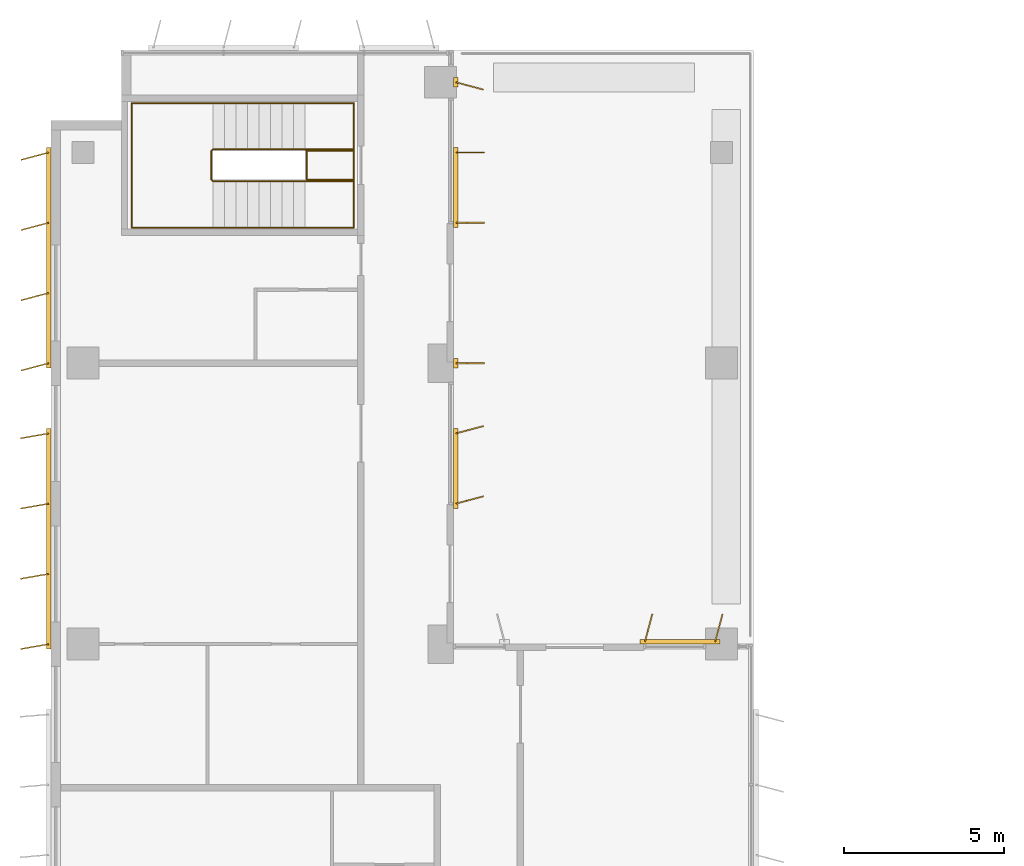
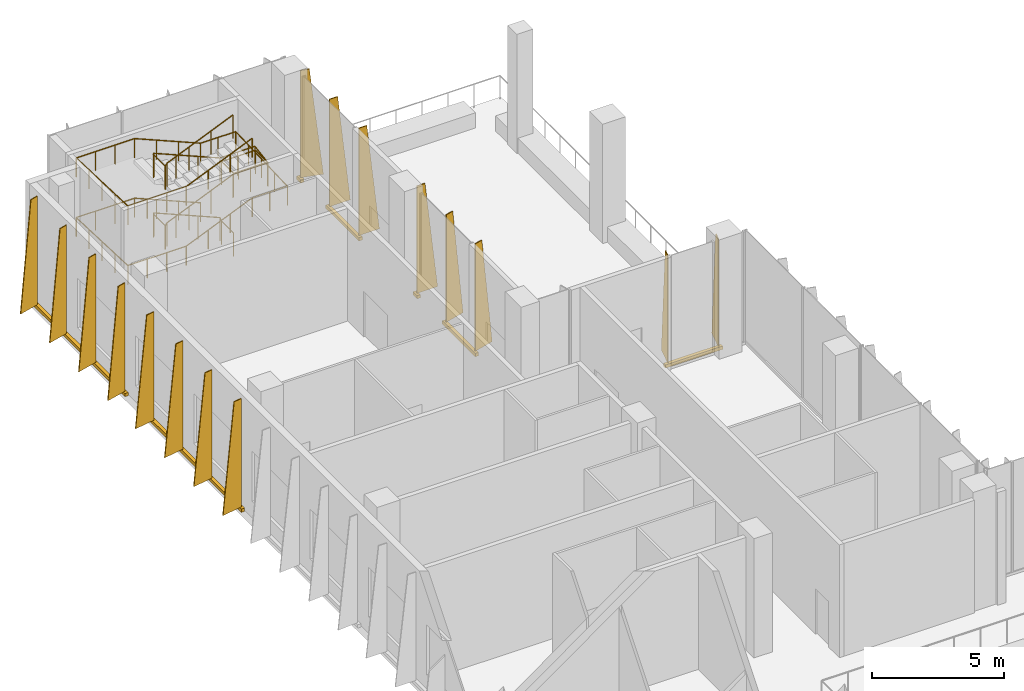
# One storey, part 22 of 24: 7 shading devices, 2 railings.
"""IFC4 building model written with IfcOpenShell, lengths in metres."""

from ifc_helpers import new_model, si_unit, direction, frame, origin, origin_2d, place, context, subcontext, project, spatial, polyline, rectangle, circle, outline, extrude, source, transform, mapped, material, layer, layer_set, type_object, element, save


model = new_model("IFC4")

# Units and contexts
model_context = context("Model", 3, precision=1e-05, world=origin(), true_north=direction((0.0, 1.0)))
body_context = subcontext(model_context, "Body", "Model", "MODEL_VIEW")
ifc_project = project(units=[si_unit("LENGTHUNIT", "METRE"), si_unit("AREAUNIT", "SQUARE_METRE"), si_unit("VOLUMEUNIT", "CUBIC_METRE"), si_unit("PLANEANGLEUNIT", "RADIAN"), si_unit("MASSUNIT", "GRAM", prefix="KILO")], contexts=[model_context])

# Site, building, storey
site_placement = place(None, origin())
site = spatial("IfcSite", under=ifc_project, at=site_placement, CompositionType="ELEMENT")
building_placement = place(site_placement, origin())
building = spatial("IfcBuilding", under=site, at=building_placement, Name="Kemantara Hotel Tower", CompositionType="ELEMENT")
storey_placement = place(building_placement, frame((0.0, 0.0, 202.5)))
storey = spatial("IfcBuildingStorey", under=building, at=storey_placement, Name="L50", CompositionType="ELEMENT", Elevation=202.5)

# Railings
ifc_material_1 = material(Name="Stainless steel balustrade", Category="steel")
railing_type_1 = type_object("IfcRailingType", Name="Stair guard 1100 mm", PredefinedType="GUARDRAIL", material=ifc_material_1)
railing_1_placement = place(storey_placement, frame((7.949951171875, 59.5, 5.5)))
element("IfcRailing", 1, at=railing_1_placement, inside=storey, type_object=railing_type_1, Name="L50 ST4 stair guard 1", PredefinedType="GUARDRAIL", context=body_context, shape_type="SweptSolid", body=[
    extrude(circle(Radius=0.02392578125, at=origin_2d()), frame((0.0, 0.0, 1.076171875), z_axis=(-0.920535863683, 0.0, -0.390658064903), x_axis=(0.0, -1.0, 0.0)), (0.0, 0.0, 1.0), 3.12841796875),
    extrude(circle(Radius=0.02392578125, at=origin_2d()), frame((-2.8798828125, 0.0, -0.14599609375), z_axis=(-0.297155754911, 0.297155754911, -0.90741220768), x_axis=(-0.707106781187, -0.707106781187, 0.0)), (0.0, 0.0, 1.0), 0.16845703125),
    extrude(circle(Radius=0.02392578125, at=origin_2d()), frame((-2.929931640625, 0.050048828125, -0.298828125), z_axis=(0.0, 1.0, 0.0), x_axis=(-1.0, 0.0, 0.0)), (0.0, 0.0, 1.0), 0.89990234375),
    extrude(circle(Radius=0.02392578125, at=origin_2d()), frame((-2.929931640625, 0.949951171875, -0.298828125), z_axis=(0.707106781187, 0.707106781187, 0.0), x_axis=(-0.707106781187, 0.707106781187, 0.0)), (0.0, 0.0, 1.0), 0.07080078125),
    extrude(circle(Radius=0.02392578125, at=origin_2d()), frame((-2.8798828125, 1.0, -0.298828125), z_axis=(0.920535863683, 0.0, -0.390658064903), x_axis=(0.0, 1.0, 0.0)), (0.0, 0.0, 1.0), 3.12841796875),
    extrude(circle(Radius=0.02392578125, at=origin_2d()), frame((0.0, 1.0, -1.52099609375), z_axis=(1.0, 0.0, 0.0), x_axis=(0.0, 1.0, 0.0)), (0.0, 0.0, 1.0), 1.530029296875),
    extrude(circle(Radius=0.02392578125, at=origin_2d()), frame((1.530029296875, 1.0, -1.52099609375), z_axis=(0.0, -0.98730409242, -0.158841521936), x_axis=(1.0, 0.0, 0.0)), (0.0, 0.0, 1.0), 0.962158203125),
    extrude(circle(Radius=0.02392578125, at=origin_2d()), frame((1.530029296875, 0.050048828125, -1.673828125), z_axis=(-1.0, 0.0, 0.0), x_axis=(0.0, -1.0, 0.0)), (0.0, 0.0, 1.0), 1.47998046875),
    extrude(circle(Radius=0.02392578125, at=origin_2d()), frame((0.050048828125, 0.050048828125, -1.673828125), z_axis=(0.0, 1.0, 0.0), x_axis=(-1.0, 0.0, 0.0)), (0.0, 0.0, 1.0), 0.89990234375),
    extrude(circle(Radius=0.02392578125, at=origin_2d()), frame((0.050048828125, 0.949951171875, -1.673828125), z_axis=(1.0, 0.0, 0.0), x_axis=(0.0, 1.0, 0.0)), (0.0, 0.0, 1.0), 1.47998046875),
    extrude(circle(Radius=0.02392578125, at=origin_2d()), frame((1.530029296875, 0.949951171875, -1.673828125), z_axis=(0.0, -1.0, 0.0), x_axis=(1.0, 0.0, 0.0)), (0.0, 0.0, 1.0), 0.949951171875),
    extrude(circle(Radius=0.02392578125, at=origin_2d()), frame((1.530029296875, 0.0, -1.673828125), z_axis=(-1.0, 0.0, 0.0), x_axis=(0.0, -1.0, 0.0)), (0.0, 0.0, 1.0), 1.530029296875),
    extrude(circle(Radius=0.02392578125, at=origin_2d()), frame((0.0, 0.0, -1.673828125), z_axis=(-0.920535863683, 0.0, -0.390658064903), x_axis=(0.0, -1.0, 0.0)), (0.0, 0.0, 1.0), 3.12841796875),
    extrude(circle(Radius=0.02392578125, at=origin_2d()), frame((-2.8798828125, 0.0, -2.89599609375), z_axis=(-0.297155754911, 0.297155754911, -0.90741220768), x_axis=(-0.707106781187, -0.707106781187, 0.0)), (0.0, 0.0, 1.0), 0.16845703125),
    extrude(circle(Radius=0.02392578125, at=origin_2d()), frame((-2.929931640625, 0.050048828125, -3.048828125), z_axis=(0.0, 1.0, 0.0), x_axis=(-1.0, 0.0, 0.0)), (0.0, 0.0, 1.0), 0.89990234375),
    extrude(circle(Radius=0.02392578125, at=origin_2d()), frame((-2.929931640625, 0.949951171875, -3.048828125), z_axis=(0.707106781187, 0.707106781187, 0.0), x_axis=(-0.707106781187, 0.707106781187, 0.0)), (0.0, 0.0, 1.0), 0.07080078125),
    extrude(circle(Radius=0.02392578125, at=origin_2d()), frame((-2.8798828125, 1.0, -3.048828125), z_axis=(0.920535863683, 0.0, -0.390658064903), x_axis=(0.0, 1.0, 0.0)), (0.0, 0.0, 1.0), 3.12841796875),
    extrude(circle(Radius=0.02392578125, at=origin_2d()), frame((0.0, 1.0, -4.27099609375), z_axis=(0.297155754911, -0.297155754911, -0.90741220768), x_axis=(0.707106781187, 0.707106781187, 0.0)), (0.0, 0.0, 1.0), 0.16845703125),
    extrude(circle(Radius=0.02392578125, at=origin_2d()), frame((0.050048828125, 0.949951171875, -4.423828125), z_axis=(0.0, -1.0, 0.0), x_axis=(1.0, 0.0, 0.0)), (0.0, 0.0, 1.0), 0.89990234375),
    extrude(circle(Radius=0.02099609375, at=origin_2d()), origin(), (0.0, 0.0, 1.0), 1.052001953125),
    extrude(circle(Radius=0.02099609375, at=origin_2d()), frame((-0.9599609375, 0.0, -0.407470703125)), (0.0, 0.0, 1.0), 1.052001953125),
    extrude(circle(Radius=0.02099609375, at=origin_2d()), frame((-1.919921875, 0.0, -0.814697265625)), (0.0, 0.0, 1.0), 1.052001953125),
    extrude(circle(Radius=0.02099609375, at=origin_2d()), frame((-2.8798828125, 0.0, -1.22216796875)), (0.0, 0.0, 1.0), 1.052001953125),
    extrude(circle(Radius=0.02099609375, at=origin_2d()), frame((-2.929931640625, 0.050048828125, -1.375)), (0.0, 0.0, 1.0), 1.052001953125),
    extrude(circle(Radius=0.02099609375, at=origin_2d()), frame((-2.929931640625, 0.949951171875, -1.375)), (0.0, 0.0, 1.0), 1.052001953125),
    extrude(circle(Radius=0.02099609375, at=origin_2d()), frame((-2.8798828125, 1.0, -1.375)), (0.0, 0.0, 1.0), 1.052001953125),
    extrude(circle(Radius=0.02099609375, at=origin_2d()), frame((-1.919921875, 1.0, -1.782470703125)), (0.0, 0.0, 1.0), 1.052001953125),
    extrude(circle(Radius=0.02099609375, at=origin_2d()), frame((-0.9599609375, 1.0, -2.189697265625)), (0.0, 0.0, 1.0), 1.052001953125),
    extrude(circle(Radius=0.02099609375, at=origin_2d()), frame((0.0, 1.0, -2.59716796875)), (0.0, 0.0, 1.0), 1.052001953125),
    extrude(circle(Radius=0.02099609375, at=origin_2d()), frame((0.76513671875, 1.0, -2.59716796875)), (0.0, 0.0, 1.0), 1.052001953125),
    extrude(circle(Radius=0.02099609375, at=origin_2d()), frame((1.530029296875, 1.0, -2.59716796875)), (0.0, 0.0, 1.0), 1.052001953125),
    extrude(circle(Radius=0.02099609375, at=origin_2d()), frame((1.530029296875, 0.050048828125, -2.75)), (0.0, 0.0, 1.0), 1.052001953125),
    extrude(circle(Radius=0.02099609375, at=origin_2d()), frame((0.7900390625, 0.050048828125, -2.75)), (0.0, 0.0, 1.0), 1.052001953125),
    extrude(circle(Radius=0.02099609375, at=origin_2d()), frame((0.050048828125, 0.050048828125, -2.75)), (0.0, 0.0, 1.0), 1.052001953125),
    extrude(circle(Radius=0.02099609375, at=origin_2d()), frame((0.050048828125, 0.949951171875, -2.75)), (0.0, 0.0, 1.0), 1.052001953125),
    extrude(circle(Radius=0.02099609375, at=origin_2d()), frame((0.7900390625, 0.949951171875, -2.75)), (0.0, 0.0, 1.0), 1.052001953125),
    extrude(circle(Radius=0.02099609375, at=origin_2d()), frame((1.530029296875, 0.949951171875, -2.75)), (0.0, 0.0, 1.0), 1.052001953125),
    extrude(circle(Radius=0.02099609375, at=origin_2d()), frame((1.530029296875, 0.0, -2.75)), (0.0, 0.0, 1.0), 1.052001953125),
    extrude(circle(Radius=0.02099609375, at=origin_2d()), frame((0.76513671875, 0.0, -2.75)), (0.0, 0.0, 1.0), 1.052001953125),
    extrude(circle(Radius=0.02099609375, at=origin_2d()), frame((0.0, 0.0, -2.75)), (0.0, 0.0, 1.0), 1.052001953125),
    extrude(circle(Radius=0.02099609375, at=origin_2d()), frame((-0.9599609375, 0.0, -3.157470703125)), (0.0, 0.0, 1.0), 1.052001953125),
    extrude(circle(Radius=0.02099609375, at=origin_2d()), frame((-1.919921875, 0.0, -3.564697265625)), (0.0, 0.0, 1.0), 1.052001953125),
    extrude(circle(Radius=0.02099609375, at=origin_2d()), frame((-2.8798828125, 0.0, -3.97216796875)), (0.0, 0.0, 1.0), 1.052001953125),
    extrude(circle(Radius=0.02099609375, at=origin_2d()), frame((-2.929931640625, 0.050048828125, -4.125)), (0.0, 0.0, 1.0), 1.052001953125),
    extrude(circle(Radius=0.02099609375, at=origin_2d()), frame((-2.929931640625, 0.949951171875, -4.125)), (0.0, 0.0, 1.0), 1.052001953125),
    extrude(circle(Radius=0.02099609375, at=origin_2d()), frame((-2.8798828125, 1.0, -4.125)), (0.0, 0.0, 1.0), 1.052001953125),
    extrude(circle(Radius=0.02099609375, at=origin_2d()), frame((-1.919921875, 1.0, -4.532470703125)), (0.0, 0.0, 1.0), 1.052001953125),
    extrude(circle(Radius=0.02099609375, at=origin_2d()), frame((-0.9599609375, 1.0, -4.939697265625)), (0.0, 0.0, 1.0), 1.052001953125),
    extrude(circle(Radius=0.02099609375, at=origin_2d()), frame((0.0, 1.0, -5.34716796875)), (0.0, 0.0, 1.0), 1.052001953125),
    extrude(circle(Radius=0.02099609375, at=origin_2d()), frame((0.050048828125, 0.949951171875, -5.5)), (0.0, 0.0, 1.0), 1.052001953125),
    extrude(circle(Radius=0.02099609375, at=origin_2d()), frame((0.050048828125, 0.050048828125, -5.5)), (0.0, 0.0, 1.0), 1.052001953125),
])
railing_type_2 = type_object("IfcRailingType", Name="Stair handrail 900 mm", PredefinedType="HANDRAIL", material=ifc_material_1)
railing_2_placement = place(storey_placement, frame((7.949951171875, 61.949951171875, 0.15283203125)))
element("IfcRailing", 2, at=railing_2_placement, inside=storey, type_object=railing_type_2, Name="L50 ST4 stair handrail 1", PredefinedType="HANDRAIL", context=body_context, shape_type="SweptSolid", body=[
    extrude(circle(Radius=0.02392578125, at=origin_2d()), frame((0.0, 0.0, 0.8759765625), z_axis=(-0.920535863683, 0.0, 0.390658064903), x_axis=(0.0, -1.0, 0.0)), (0.0, 0.0, 1.0), 3.12841796875),
    extrude(circle(Radius=0.02392578125, at=origin_2d()), frame((-2.8798828125, 0.0, 2.09814453125), z_axis=(-1.0, 0.0, 0.0), x_axis=(0.0, -1.0, 0.0)), (0.0, 0.0, 1.0), 2.550048828125),
    extrude(circle(Radius=0.02392578125, at=origin_2d()), frame((-5.429931640625, 0.0, 2.09814453125), z_axis=(0.0, -0.999233006938, 0.039158624161), x_axis=(1.0, 0.0, 0.0)), (0.0, 0.0, 1.0), 3.90283203125),
    extrude(circle(Radius=0.02392578125, at=origin_2d()), frame((-5.429931640625, -3.89990234375, 2.2509765625), z_axis=(1.0, 0.0, 0.0), x_axis=(0.0, 1.0, 0.0)), (0.0, 0.0, 1.0), 2.550048828125),
    extrude(circle(Radius=0.02392578125, at=origin_2d()), frame((-2.8798828125, -3.89990234375, 2.2509765625), z_axis=(0.920535863683, 0.0, 0.390658064903), x_axis=(0.0, 1.0, 0.0)), (0.0, 0.0, 1.0), 3.12841796875),
    extrude(circle(Radius=0.02392578125, at=origin_2d()), frame((0.0, -3.89990234375, 3.47314453125), z_axis=(1.0, 0.0, 0.0), x_axis=(0.0, 1.0, 0.0)), (0.0, 0.0, 1.0), 1.530029296875),
    extrude(circle(Radius=0.02392578125, at=origin_2d()), frame((1.530029296875, -3.89990234375, 3.47314453125), z_axis=(0.0, 0.999233006938, 0.039158624161), x_axis=(-1.0, 0.0, 0.0)), (0.0, 0.0, 1.0), 3.90283203125),
    extrude(circle(Radius=0.02392578125, at=origin_2d()), frame((1.530029296875, 0.0, 3.6259765625), z_axis=(-1.0, 0.0, 0.0), x_axis=(0.0, -1.0, 0.0)), (0.0, 0.0, 1.0), 1.530029296875),
    extrude(circle(Radius=0.02392578125, at=origin_2d()), frame((0.0, 0.0, 3.6259765625), z_axis=(-0.920535863683, 0.0, 0.390658064903), x_axis=(0.0, -1.0, 0.0)), (0.0, 0.0, 1.0), 3.12841796875),
    extrude(circle(Radius=0.02392578125, at=origin_2d()), frame((-2.8798828125, 0.0, 4.84814453125), z_axis=(-1.0, 0.0, 0.0), x_axis=(0.0, -1.0, 0.0)), (0.0, 0.0, 1.0), 2.550048828125),
    extrude(circle(Radius=0.02392578125, at=origin_2d()), frame((-5.429931640625, 0.0, 4.84814453125), z_axis=(0.0, -0.999233006938, 0.039158624161), x_axis=(1.0, 0.0, 0.0)), (0.0, 0.0, 1.0), 3.90283203125),
    extrude(circle(Radius=0.02392578125, at=origin_2d()), frame((-5.429931640625, -3.89990234375, 5.0009765625), z_axis=(1.0, 0.0, 0.0), x_axis=(0.0, 1.0, 0.0)), (0.0, 0.0, 1.0), 2.550048828125),
    extrude(circle(Radius=0.02392578125, at=origin_2d()), frame((-2.8798828125, -3.89990234375, 5.0009765625), z_axis=(0.920535863683, 0.0, 0.390658064903), x_axis=(0.0, 1.0, 0.0)), (0.0, 0.0, 1.0), 3.12841796875),
    extrude(circle(Radius=0.02099609375, at=origin_2d()), origin(), (0.0, 0.0, 1.0), 0.851806640625),
    extrude(circle(Radius=0.02099609375, at=origin_2d()), frame((-0.9599609375, 0.0, 0.407470703125)), (0.0, 0.0, 1.0), 0.851806640625),
    extrude(circle(Radius=0.02099609375, at=origin_2d()), frame((-1.919921875, 0.0, 0.814697265625)), (0.0, 0.0, 1.0), 0.851806640625),
    extrude(circle(Radius=0.02099609375, at=origin_2d()), frame((-2.8798828125, 0.0, 1.22216796875)), (0.0, 0.0, 1.0), 0.851806640625),
    extrude(circle(Radius=0.02099609375, at=origin_2d()), frame((-3.72998046875, 0.0, 1.22216796875)), (0.0, 0.0, 1.0), 0.851806640625),
    extrude(circle(Radius=0.02099609375, at=origin_2d()), frame((-4.579833984375, 0.0, 1.22216796875)), (0.0, 0.0, 1.0), 0.851806640625),
    extrude(circle(Radius=0.02099609375, at=origin_2d()), frame((-5.429931640625, 0.0, 1.22216796875)), (0.0, 0.0, 1.0), 0.851806640625),
    extrude(circle(Radius=0.02099609375, at=origin_2d()), frame((-5.429931640625, -0.97509765625, 1.26025390625)), (0.0, 0.0, 1.0), 0.851806640625),
    extrude(circle(Radius=0.02099609375, at=origin_2d()), frame((-5.429931640625, -1.949951171875, 1.298583984375)), (0.0, 0.0, 1.0), 0.851806640625),
    extrude(circle(Radius=0.02099609375, at=origin_2d()), frame((-5.429931640625, -2.9248046875, 1.3369140625)), (0.0, 0.0, 1.0), 0.851806640625),
    extrude(circle(Radius=0.02099609375, at=origin_2d()), frame((-5.429931640625, -3.89990234375, 1.375)), (0.0, 0.0, 1.0), 0.851806640625),
    extrude(circle(Radius=0.02099609375, at=origin_2d()), frame((-4.579833984375, -3.89990234375, 1.375)), (0.0, 0.0, 1.0), 0.851806640625),
    extrude(circle(Radius=0.02099609375, at=origin_2d()), frame((-3.72998046875, -3.89990234375, 1.375)), (0.0, 0.0, 1.0), 0.851806640625),
    extrude(circle(Radius=0.02099609375, at=origin_2d()), frame((-2.8798828125, -3.89990234375, 1.375)), (0.0, 0.0, 1.0), 0.851806640625),
    extrude(circle(Radius=0.02099609375, at=origin_2d()), frame((-1.919921875, -3.89990234375, 1.782470703125)), (0.0, 0.0, 1.0), 0.851806640625),
    extrude(circle(Radius=0.02099609375, at=origin_2d()), frame((-0.9599609375, -3.89990234375, 2.189697265625)), (0.0, 0.0, 1.0), 0.851806640625),
    extrude(circle(Radius=0.02099609375, at=origin_2d()), frame((0.0, -3.89990234375, 2.59716796875)), (0.0, 0.0, 1.0), 0.851806640625),
    extrude(circle(Radius=0.02099609375, at=origin_2d()), frame((0.76513671875, -3.89990234375, 2.59716796875)), (0.0, 0.0, 1.0), 0.851806640625),
    extrude(circle(Radius=0.02099609375, at=origin_2d()), frame((1.530029296875, -3.89990234375, 2.59716796875)), (0.0, 0.0, 1.0), 0.851806640625),
    extrude(circle(Radius=0.02099609375, at=origin_2d()), frame((1.530029296875, -2.9248046875, 2.63525390625)), (0.0, 0.0, 1.0), 0.851806640625),
    extrude(circle(Radius=0.02099609375, at=origin_2d()), frame((1.530029296875, -1.949951171875, 2.673583984375)), (0.0, 0.0, 1.0), 0.851806640625),
    extrude(circle(Radius=0.02099609375, at=origin_2d()), frame((1.530029296875, -0.97509765625, 2.7119140625)), (0.0, 0.0, 1.0), 0.851806640625),
    extrude(circle(Radius=0.02099609375, at=origin_2d()), frame((1.530029296875, 0.0, 2.75)), (0.0, 0.0, 1.0), 0.851806640625),
    extrude(circle(Radius=0.02099609375, at=origin_2d()), frame((0.76513671875, 0.0, 2.75)), (0.0, 0.0, 1.0), 0.851806640625),
    extrude(circle(Radius=0.02099609375, at=origin_2d()), frame((0.0, 0.0, 2.75)), (0.0, 0.0, 1.0), 0.851806640625),
    extrude(circle(Radius=0.02099609375, at=origin_2d()), frame((-0.9599609375, 0.0, 3.157470703125)), (0.0, 0.0, 1.0), 0.851806640625),
    extrude(circle(Radius=0.02099609375, at=origin_2d()), frame((-1.919921875, 0.0, 3.564697265625)), (0.0, 0.0, 1.0), 0.851806640625),
    extrude(circle(Radius=0.02099609375, at=origin_2d()), frame((-2.8798828125, 0.0, 3.97216796875)), (0.0, 0.0, 1.0), 0.851806640625),
    extrude(circle(Radius=0.02099609375, at=origin_2d()), frame((-3.72998046875, 0.0, 3.97216796875)), (0.0, 0.0, 1.0), 0.851806640625),
    extrude(circle(Radius=0.02099609375, at=origin_2d()), frame((-4.579833984375, 0.0, 3.97216796875)), (0.0, 0.0, 1.0), 0.851806640625),
    extrude(circle(Radius=0.02099609375, at=origin_2d()), frame((-5.429931640625, 0.0, 3.97216796875)), (0.0, 0.0, 1.0), 0.851806640625),
    extrude(circle(Radius=0.02099609375, at=origin_2d()), frame((-5.429931640625, -0.97509765625, 4.01025390625)), (0.0, 0.0, 1.0), 0.851806640625),
    extrude(circle(Radius=0.02099609375, at=origin_2d()), frame((-5.429931640625, -1.949951171875, 4.048583984375)), (0.0, 0.0, 1.0), 0.851806640625),
    extrude(circle(Radius=0.02099609375, at=origin_2d()), frame((-5.429931640625, -2.9248046875, 4.0869140625)), (0.0, 0.0, 1.0), 0.851806640625),
    extrude(circle(Radius=0.02099609375, at=origin_2d()), frame((-5.429931640625, -3.89990234375, 4.125)), (0.0, 0.0, 1.0), 0.851806640625),
    extrude(circle(Radius=0.02099609375, at=origin_2d()), frame((-4.579833984375, -3.89990234375, 4.125)), (0.0, 0.0, 1.0), 0.851806640625),
    extrude(circle(Radius=0.02099609375, at=origin_2d()), frame((-3.72998046875, -3.89990234375, 4.125)), (0.0, 0.0, 1.0), 0.851806640625),
    extrude(circle(Radius=0.02099609375, at=origin_2d()), frame((-2.8798828125, -3.89990234375, 4.125)), (0.0, 0.0, 1.0), 0.851806640625),
    extrude(circle(Radius=0.02099609375, at=origin_2d()), frame((-1.919921875, -3.89990234375, 4.532470703125)), (0.0, 0.0, 1.0), 0.851806640625),
    extrude(circle(Radius=0.02099609375, at=origin_2d()), frame((-0.9599609375, -3.89990234375, 4.939697265625)), (0.0, 0.0, 1.0), 0.851806640625),
    extrude(circle(Radius=0.02099609375, at=origin_2d()), frame((0.0, -3.89990234375, 5.34716796875)), (0.0, 0.0, 1.0), 0.851806640625),
])

# Shading devices
ifc_material_2 = material(Name="Perforated aluminium plate 4 mm bronze anodised", Category="aluminium")
ifc_layer_1 = layer(ifc_material_2, 0.0400390625)
ifc_layer_set_1 = layer_set([ifc_layer_1], Name="Perforated aluminium plate 4 mm bronze anodised")
shading_device_type_1 = type_object("IfcShadingDeviceType", Name="SCREEN FIN CASSETTE, 4 BLADES AT +15.0 DEG, 5000 HIGH", PredefinedType="USERDEFINED", material=ifc_layer_set_1)
shared_shape_1 = source(origin(), body_context, "Body", "SweptSolid", [
    extrude(rectangle(XDim=6.89990234375, YDim=0.14990234375, at=origin_2d()), frame((3.300048828125, -0.074951171875, -0.14990234375), z_axis=(0.0, 0.0, 1.0), x_axis=(1.0, 0.0, 0.0)), (0.0, 0.0, 1.0), 0.14990234375),
    extrude(outline(polyline([(0.0, 0.0), (0.89990234375, 0.0), (0.35009765625, 5.0), (0.0, 5.0), (0.0, 0.0)])), frame((0.019287109375, -0.06982421875, 0.0), z_axis=(-0.966437683387, -0.256901156343, 0.0), x_axis=(0.256901156343, -0.966437683387, 0.0)), (0.0, 0.0, 1.0), 0.039794921875),
    extrude(outline(polyline([(0.0, 0.0), (0.89990234375, 0.0), (0.35009765625, 5.0), (0.0, 5.0), (0.0, 0.0)])), frame((2.21923828125, -0.06982421875, 0.0), z_axis=(-0.966437683387, -0.256901156343, 0.0), x_axis=(0.256901156343, -0.966437683387, 0.0)), (0.0, 0.0, 1.0), 0.039794921875),
    extrude(outline(polyline([(0.0, 0.0), (0.89990234375, 0.0), (0.35009765625, 5.0), (0.0, 5.0), (0.0, 0.0)])), frame((4.41943359375, -0.06982421875, 0.0), z_axis=(-0.966837822169, -0.255391122837, 0.0), x_axis=(0.255391122837, -0.966837822169, 0.0)), (0.0, 0.0, 1.0), 0.0400390625),
    extrude(outline(polyline([(0.0, 0.0), (0.89990234375, 0.0), (0.35009765625, 5.0), (0.0, 5.0), (0.0, 0.0)])), frame((6.619384765625, -0.06982421875, 0.0), z_axis=(-0.966837822169, -0.255391122837, 0.0), x_axis=(0.255391122837, -0.966837822169, 0.0)), (0.0, 0.0, 1.0), 0.0400390625),
])
shading_device_1_placement = place(storey_placement, frame((0.0, 60.39990234375, 0.10009765625), z_axis=(0.0, 0.0, 1.0), x_axis=(0.0, -1.0, 0.0)))
element("IfcShadingDevice", 3, at=shading_device_1_placement, inside=storey, type_object=shading_device_type_1, Name="SCREEN FIN CASSETTE L50 T3S-R06-1", ObjectType="SCREEN FIN", PredefinedType="USERDEFINED", context=body_context, shape_type="MappedRepresentation", body=[
    mapped(shared_shape_1, transform((0.0, 0.0, 0.0))),
])
ifc_layer_2 = layer(ifc_material_2, 0.0400390625)
ifc_layer_set_2 = layer_set([ifc_layer_2], Name="Perforated aluminium plate 4 mm bronze anodised")
shading_device_type_2 = type_object("IfcShadingDeviceType", Name="SCREEN FIN CASSETTE, 4 BLADES AT +10.0 DEG, 5000 HIGH", PredefinedType="USERDEFINED", material=ifc_layer_set_2)
shared_shape_2 = source(origin(), body_context, "Body", "SweptSolid", [
    extrude(rectangle(XDim=6.89990234375, YDim=0.14990234375, at=origin_2d()), frame((3.300048828125, -0.074951171875, -0.14990234375), z_axis=(0.0, 0.0, 1.0), x_axis=(1.0, 0.0, 0.0)), (0.0, 0.0, 1.0), 0.14990234375),
    extrude(outline(polyline([(0.0, 0.0), (0.89990234375, 0.0), (0.35009765625, 5.0), (0.0, 5.0), (0.0, 0.0)])), frame((0.019775390625, -0.071533203125, 0.0), z_axis=(-0.985389793052, -0.170314285219, 0.0), x_axis=(0.170314285219, -0.985389793052, 0.0)), (0.0, 0.0, 1.0), 0.0400390625),
    extrude(outline(polyline([(0.0, 0.0), (0.89990234375, 0.0), (0.35009765625, 5.0), (0.0, 5.0), (0.0, 0.0)])), frame((2.2197265625, -0.071533203125, 0.0), z_axis=(-0.98521175482, -0.171341174751, 0.0), x_axis=(0.171341174751, -0.98521175482, 0.0)), (0.0, 0.0, 1.0), 0.039794921875),
    extrude(outline(polyline([(0.0, 0.0), (0.89990234375, 0.0), (0.35009765625, 5.0), (0.0, 5.0), (0.0, 0.0)])), frame((4.419677734375, -0.071533203125, 0.0), z_axis=(-0.98521175482, -0.171341174751, 0.0), x_axis=(0.171341174751, -0.98521175482, 0.0)), (0.0, 0.0, 1.0), 0.039794921875),
    extrude(outline(polyline([(0.0, 0.0), (0.89990234375, 0.0), (0.35009765625, 5.0), (0.0, 5.0), (0.0, 0.0)])), frame((6.61962890625, -0.071533203125, 0.0), z_axis=(-0.98521175482, -0.171341174751, 0.0), x_axis=(0.171341174751, -0.98521175482, 0.0)), (0.0, 0.0, 1.0), 0.039794921875),
])
shading_device_2_placement = place(storey_placement, frame((0.0, 51.60009765625, 0.10009765625), z_axis=(0.0, 0.0, 1.0), x_axis=(0.0, -1.0, 0.0)))
element("IfcShadingDevice", 4, at=shading_device_2_placement, inside=storey, type_object=shading_device_type_2, Name="SCREEN FIN CASSETTE L50 T3S-R06-2", ObjectType="SCREEN FIN", PredefinedType="USERDEFINED", context=body_context, shape_type="MappedRepresentation", body=[
    mapped(shared_shape_2, transform((0.0, 0.0, 0.0))),
])
ifc_layer_3 = layer(ifc_material_2, 0.0400390625)
ifc_layer_set_3 = layer_set([ifc_layer_3], Name="Perforated aluminium plate 4 mm bronze anodised")
shading_device_type_3 = type_object("IfcShadingDeviceType", Name="SCREEN FIN CASSETTE, 2 BLADES AT -15.0 DEG, 4950 HIGH", PredefinedType="USERDEFINED", material=ifc_layer_set_3)
shared_shape_3 = source(origin(), body_context, "Body", "SweptSolid", [
    extrude(rectangle(XDim=2.5, YDim=0.14990234375, at=origin_2d()), frame((1.10009765625, -0.074951171875, -0.14990234375), z_axis=(0.0, 0.0, 1.0), x_axis=(1.0, 0.0, 0.0)), (0.0, 0.0, 1.0), 0.14990234375),
    extrude(outline(polyline([(0.0, 0.0), (0.89990234375, 0.0), (0.35009765625, 4.949951171875), (0.0, 4.949951171875), (0.0, 0.0)])), frame((0.019287109375, -0.080078125, 0.0), z_axis=(-0.966437683387, 0.256901156343, 0.0), x_axis=(-0.256901156343, -0.966437683387, 0.0)), (0.0, 0.0, 1.0), 0.039794921875),
    extrude(outline(polyline([(0.0, 0.0), (0.89990234375, 0.0), (0.35009765625, 4.949951171875), (0.0, 4.949951171875), (0.0, 0.0)])), frame((2.21923828125, -0.080078125, 0.0), z_axis=(-0.966437683387, 0.256901156343, 0.0), x_axis=(-0.256901156343, -0.966437683387, 0.0)), (0.0, 0.0, 1.0), 0.039794921875),
])
shading_device_3_placement = place(storey_placement, frame((20.800048828125, 45.0, 0.14990234375), z_axis=(0.0, 0.0, 1.0), x_axis=(-1.0, 0.0, 0.0)))
element("IfcShadingDevice", 5, at=shading_device_3_placement, inside=storey, type_object=shading_device_type_3, Name="SCREEN FIN CASSETTE L50 T3S-R01-1", ObjectType="SCREEN FIN", PredefinedType="USERDEFINED", context=body_context, shape_type="MappedRepresentation", body=[
    mapped(shared_shape_3, transform((0.0, 0.0, 0.0))),
])
ifc_layer_4 = layer(ifc_material_2, 0.0400390625)
ifc_layer_set_4 = layer_set([ifc_layer_4], Name="Perforated aluminium plate 4 mm bronze anodised")
shading_device_type_4 = type_object("IfcShadingDeviceType", Name="SCREEN FIN CASSETTE, 2 BLADES AT +15.0 DEG, 4950 HIGH", PredefinedType="USERDEFINED", material=ifc_layer_set_4)
shared_shape_4 = source(origin(), body_context, "Body", "SweptSolid", [
    extrude(rectangle(XDim=2.5, YDim=0.14990234375, at=origin_2d()), frame((1.10009765625, -0.074951171875, -0.14990234375), z_axis=(0.0, 0.0, 1.0), x_axis=(1.0, 0.0, 0.0)), (0.0, 0.0, 1.0), 0.14990234375),
    extrude(outline(polyline([(0.0, 0.0), (0.89990234375, 0.0), (0.35009765625, 4.949951171875), (0.0, 4.949951171875), (0.0, 0.0)])), frame((0.019287109375, -0.06982421875, 0.0), z_axis=(-0.966437683387, -0.256901156343, 0.0), x_axis=(0.256901156343, -0.966437683387, 0.0)), (0.0, 0.0, 1.0), 0.039794921875),
    extrude(outline(polyline([(0.0, 0.0), (0.89990234375, 0.0), (0.35009765625, 4.949951171875), (0.0, 4.949951171875), (0.0, 0.0)])), frame((2.21923828125, -0.06982421875, 0.0), z_axis=(-0.966437683387, -0.256901156343, 0.0), x_axis=(0.256901156343, -0.966437683387, 0.0)), (0.0, 0.0, 1.0), 0.039794921875),
])
shading_device_4_placement = place(storey_placement, frame((12.60009765625, 49.39990234375, 0.14990234375), z_axis=(0.0, 0.0, 1.0), x_axis=(0.0, 1.0, 0.0)))
element("IfcShadingDevice", 6, at=shading_device_4_placement, inside=storey, type_object=shading_device_type_4, Name="SCREEN FIN CASSETTE L50 T3S-R02-1", ObjectType="SCREEN FIN", PredefinedType="USERDEFINED", context=body_context, shape_type="MappedRepresentation", body=[
    mapped(shared_shape_4, transform((0.0, 0.0, 0.0))),
])
ifc_layer_5 = layer(ifc_material_2, 0.0400390625)
ifc_layer_set_5 = layer_set([ifc_layer_5], Name="Perforated aluminium plate 4 mm bronze anodised")
shading_device_type_5 = type_object("IfcShadingDeviceType", Name="SCREEN FIN CASSETTE, 1 BLADE AT +0.0 DEG, 4950 HIGH", PredefinedType="USERDEFINED", material=ifc_layer_set_5)
shared_shape_5 = source(origin(), body_context, "Body", "SweptSolid", [
    extrude(rectangle(XDim=0.300048828125, YDim=0.14990234375, at=origin_2d()), frame((0.0, -0.074951171875, -0.14990234375), z_axis=(0.0, 0.0, 1.0), x_axis=(1.0, 0.0, 0.0)), (0.0, 0.0, 1.0), 0.14990234375),
    extrude(outline(polyline([(0.0, 0.0), (0.89990234375, 0.0), (0.35009765625, 4.949951171875), (0.0, 4.949951171875), (0.0, 0.0)])), frame((0.02001953125, -0.074951171875, 0.0), z_axis=(-1.0, 0.0, 0.0), x_axis=(0.0, -1.0, 0.0)), (0.0, 0.0, 1.0), 0.0400390625),
])
shading_device_5_placement = place(storey_placement, frame((12.60009765625, 53.800048828125, 0.14990234375), z_axis=(0.0, 0.0, 1.0), x_axis=(0.0, 1.0, 0.0)))
element("IfcShadingDevice", 7, at=shading_device_5_placement, inside=storey, type_object=shading_device_type_5, Name="SCREEN FIN CASSETTE L50 T3S-R02-2", ObjectType="SCREEN FIN", PredefinedType="USERDEFINED", context=body_context, shape_type="MappedRepresentation", body=[
    mapped(shared_shape_5, transform((0.0, 0.0, 0.0))),
])
ifc_layer_6 = layer(ifc_material_2, 0.0400390625)
ifc_layer_set_6 = layer_set([ifc_layer_6], Name="Perforated aluminium plate 4 mm bronze anodised")
shading_device_type_6 = type_object("IfcShadingDeviceType", Name="SCREEN FIN CASSETTE, 2 BLADES AT +0.0 DEG, 4950 HIGH", PredefinedType="USERDEFINED", material=ifc_layer_set_6)
shared_shape_6 = source(origin(), body_context, "Body", "SweptSolid", [
    extrude(rectangle(XDim=2.5, YDim=0.14990234375, at=origin_2d()), frame((1.10009765625, -0.074951171875, -0.14990234375), z_axis=(0.0, 0.0, 1.0), x_axis=(1.0, 0.0, 0.0)), (0.0, 0.0, 1.0), 0.14990234375),
    extrude(outline(polyline([(0.0, 0.0), (0.89990234375, 0.0), (0.35009765625, 4.949951171875), (0.0, 4.949951171875), (0.0, 0.0)])), frame((0.02001953125, -0.074951171875, 0.0), z_axis=(-1.0, 0.0, 0.0), x_axis=(0.0, -1.0, 0.0)), (0.0, 0.0, 1.0), 0.0400390625),
    extrude(outline(polyline([(0.0, 0.0), (0.89990234375, 0.0), (0.35009765625, 4.949951171875), (0.0, 4.949951171875), (0.0, 0.0)])), frame((2.219970703125, -0.074951171875, 0.0), z_axis=(-1.0, 0.0, 0.0), x_axis=(0.0, -1.0, 0.0)), (0.0, 0.0, 1.0), 0.0400390625),
])
shading_device_6_placement = place(storey_placement, frame((12.60009765625, 58.199951171875, 0.14990234375), z_axis=(0.0, 0.0, 1.0), x_axis=(0.0, 1.0, 0.0)))
element("IfcShadingDevice", 8, at=shading_device_6_placement, inside=storey, type_object=shading_device_type_6, Name="SCREEN FIN CASSETTE L50 T3S-R02-3", ObjectType="SCREEN FIN", PredefinedType="USERDEFINED", context=body_context, shape_type="MappedRepresentation", body=[
    mapped(shared_shape_6, transform((0.0, 0.0, 0.0))),
])
ifc_layer_7 = layer(ifc_material_2, 0.0400390625)
ifc_layer_set_7 = layer_set([ifc_layer_7], Name="Perforated aluminium plate 4 mm bronze anodised")
shading_device_type_7 = type_object("IfcShadingDeviceType", Name="SCREEN FIN CASSETTE, 1 BLADE AT -15.0 DEG, 4950 HIGH", PredefinedType="USERDEFINED", material=ifc_layer_set_7)
shared_shape_7 = source(origin(), body_context, "Body", "SweptSolid", [
    extrude(rectangle(XDim=0.300048828125, YDim=0.14990234375, at=origin_2d()), frame((0.0, -0.074951171875, -0.14990234375), z_axis=(0.0, 0.0, 1.0), x_axis=(1.0, 0.0, 0.0)), (0.0, 0.0, 1.0), 0.14990234375),
    extrude(outline(polyline([(0.0, 0.0), (0.89990234375, 0.0), (0.35009765625, 4.949951171875), (0.0, 4.949951171875), (0.0, 0.0)])), frame((0.019287109375, -0.080078125, 0.0), z_axis=(-0.966437683387, 0.256901156343, 0.0), x_axis=(-0.256901156343, -0.966437683387, 0.0)), (0.0, 0.0, 1.0), 0.039794921875),
])
shading_device_7_placement = place(storey_placement, frame((12.60009765625, 62.60009765625, 0.14990234375), z_axis=(0.0, 0.0, 1.0), x_axis=(0.0, 1.0, 0.0)))
element("IfcShadingDevice", 9, at=shading_device_7_placement, inside=storey, type_object=shading_device_type_7, Name="SCREEN FIN CASSETTE L50 T3S-R02-4", ObjectType="SCREEN FIN", PredefinedType="USERDEFINED", context=body_context, shape_type="MappedRepresentation", body=[
    mapped(shared_shape_7, transform((0.0, 0.0, 0.0))),
])

save(model, "model.ifc")
